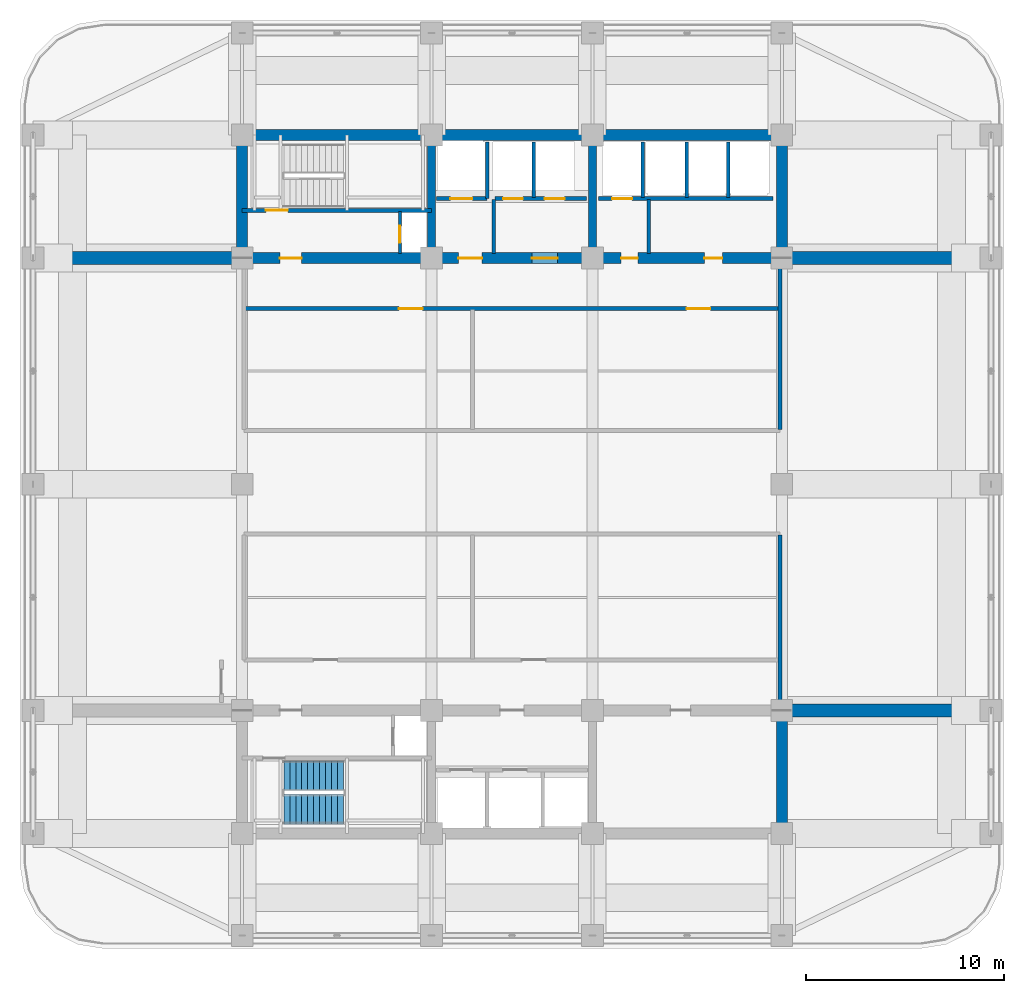
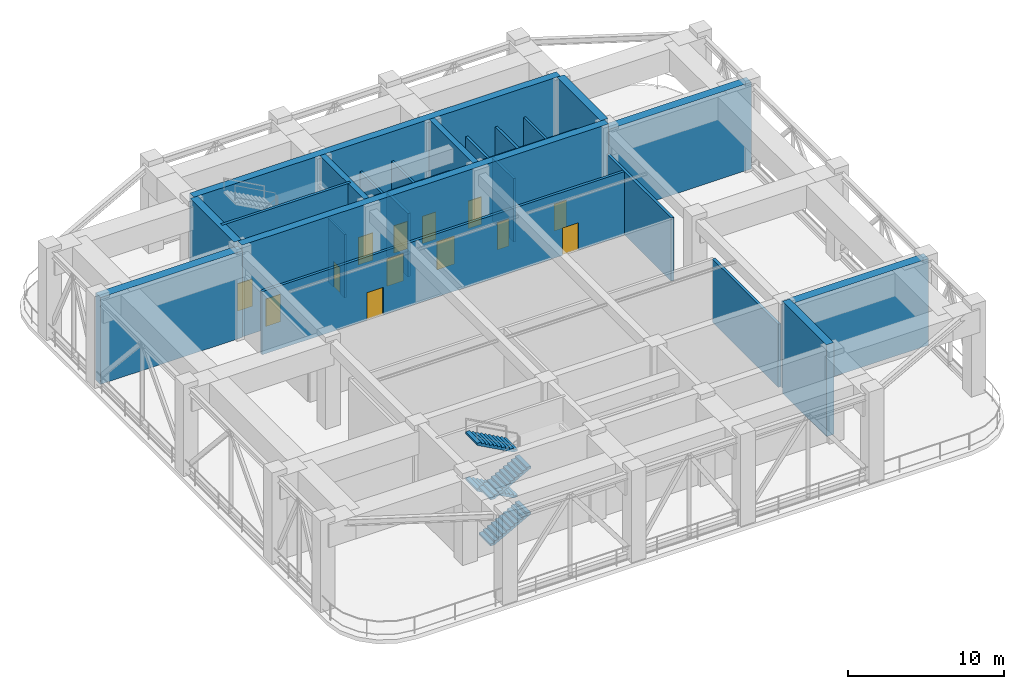
# One storey, part 11 of 20: 25 walls, 13 doors, 4 stair flights, 13 openings, 1 element without a shape of its own.
"""IFC4 building model written with IfcOpenShell, lengths in metres."""

from ifc_helpers import new_model, si_unit, direction, frame, frame_2d, origin, place, context, subcontext, project, spatial, polyline, rectangle, outline, extrude, material, layer, layer_set, type_object, element, fill, aggregate, save


model = new_model("IFC4")

# Units and contexts
model_context = context("Model", 3, precision=1e-05, world=origin(), true_north=direction((0.0, 1.0)))
body_context = subcontext(model_context, "Body", "Model", "MODEL_VIEW")
ifc_project = project(units=[si_unit("LENGTHUNIT", "METRE"), si_unit("AREAUNIT", "SQUARE_METRE"), si_unit("VOLUMEUNIT", "CUBIC_METRE"), si_unit("PLANEANGLEUNIT", "RADIAN"), si_unit("MASSUNIT", "GRAM", prefix="KILO")], contexts=[model_context])

# Site, building, storey
site_placement = place(None, origin())
site = spatial("IfcSite", under=ifc_project, at=site_placement, CompositionType="ELEMENT")
building_placement = place(site_placement, origin())
building = spatial("IfcBuilding", under=site, at=building_placement, Name="Svetorya Sky Lyceum", CompositionType="ELEMENT")
storey_placement = place(building_placement, frame((0.0, 0.0, 136.39990234375)))
storey = spatial("IfcBuildingStorey", under=building, at=storey_placement, Name="L34", CompositionType="ELEMENT", Elevation=136.39990234375)

# Walls
ifc_material_1 = material(Name="Concrete C40/50", Category="concrete")
ifc_layer_1 = layer(ifc_material_1, 0.39990234375)
ifc_layer_set_1 = layer_set([ifc_layer_1], Name="Concrete C40/50")
wall_type_1 = type_object("IfcWallType", Name="WL-CORE-400", PredefinedType="SHEAR", material=ifc_layer_set_1)
for number, where, z_axis, x_axis, name in (
    (1, (35.14990234375, 39.875, 0.0), (0.0, 0.0, 1.0), (0.0, 1.0, 0.0), "L34 NC Internal Shear Web WEB1"),
    (2, (43.25, 39.875, 0.0), (0.0, 0.0, 1.0), (0.0, 1.0, 0.0), "L34 NC Internal Shear Web WEB2"),
):
    element("IfcWall", number, at=place(storey_placement, frame(where, z_axis=z_axis, x_axis=x_axis)), inside=storey, type_object=wall_type_1, Name=name, PredefinedType="SHEAR", context=body_context, shape_type="SweptSolid", body=[
        extrude(rectangle(XDim=5.64990234375, YDim=0.39990234375, at=frame_2d((2.824951171875, 0.0))), origin(), (0.0, 0.0, 1.0), 7.2001953125),
    ])
ifc_material_2 = material(Name="Concrete C60/75", Category="concrete")
ifc_layer_2 = layer(ifc_material_2, 0.550048828125)
ifc_layer_set_2 = layer_set([ifc_layer_2], Name="Concrete C60/75")
wall_type_2 = type_object("IfcWallType", Name="WL-CORE-550", PredefinedType="SHEAR", material=ifc_layer_set_2)
wall_1_placement = place(storey_placement, frame((52.800048828125, 10.875, 0.0), z_axis=(0.0, 0.0, 1.0), x_axis=(0.0, 1.0, 0.0)))
element("IfcWall", 3, at=wall_1_placement, inside=storey, type_object=wall_type_2, Name="L34 SC East Core Shear Wall", PredefinedType="SHEAR", context=body_context, shape_type="SweptSolid", body=[
    extrude(rectangle(XDim=5.64990234375, YDim=0.550048828125, at=frame_2d((2.824951171875, 0.0))), origin(), (0.0, 0.0, 1.0), 7.2001953125),
])
wall_2_placement = place(storey_placement, frame((25.60009765625, 45.800048828125, 0.0), z_axis=(0.0, 0.0, 1.0), x_axis=(1.0, 0.0, 0.0)))
element("IfcWall", 4, at=wall_2_placement, inside=storey, type_object=wall_type_2, Name="L34 NC Outer Core Shear Wall", PredefinedType="SHEAR", context=body_context, shape_type="SweptSolid", body=[
    extrude(rectangle(XDim=27.199951171875, YDim=0.550048828125, at=frame_2d((13.60009765625, 0.0))), origin(), (0.0, 0.0, 1.0), 7.2001953125),
])
for number, where, z_axis, x_axis, name in (
    (5, (25.60009765625, 39.875, 0.0), (0.0, 0.0, 1.0), (0.0, 1.0, 0.0), "L34 NC West Core Shear Wall"),
    (6, (52.800048828125, 39.875, 0.0), (0.0, 0.0, 1.0), (0.0, 1.0, 0.0), "L34 NC East Core Shear Wall"),
):
    element("IfcWall", number, at=place(storey_placement, frame(where, z_axis=z_axis, x_axis=x_axis)), inside=storey, type_object=wall_type_2, Name=name, PredefinedType="SHEAR", context=body_context, shape_type="SweptSolid", body=[
        extrude(rectangle(XDim=5.64990234375, YDim=0.550048828125, at=frame_2d((2.824951171875, 0.0))), origin(), (0.0, 0.0, 1.0), 7.2001953125),
    ])

# Wall, openings, doors
wall_3_placement = place(storey_placement, frame((52.800048828125, 39.60009765625, 0.0), z_axis=(0.0, 0.0, 1.0), x_axis=(-1.0, 0.0, 0.0)))
wall_3 = element("IfcWall", 7, at=wall_3_placement, inside=storey, type_object=wall_type_2, Name="L34 NC Inner Core Shear Wall", PredefinedType="SHEAR", context=body_context, shape_type="SweptSolid", body=[
    extrude(rectangle(XDim=27.199951171875, YDim=0.550048828125, at=frame_2d((13.60009765625, 0.0))), origin(), (0.0, 0.0, 1.0), 7.2001953125),
])
opening_1_placement = place(wall_3_placement, frame((24.199951171875, 0.0, 0.0)))
opening_1 = element("IfcOpeningElement", 8, at=opening_1_placement, cuts=wall_3, Name="Opening D-ST1", PredefinedType="OPENING", context=body_context, shape_type="SweptSolid", body=[
    extrude(rectangle(XDim=1.10009765625, YDim=2.14990234375, at=frame_2d((0.550048828125, 1.074951171875))), frame((0.0, 0.284912109375, 0.0), z_axis=(0.0, -1.0, 0.0), x_axis=(1.0, 0.0, 0.0)), (0.0, 0.0, 1.0), 0.570068359375),
])
opening_2_placement = place(wall_3_placement, frame((15.10009765625, 0.0, 0.0)))
opening_2 = element("IfcOpeningElement", 9, at=opening_2_placement, cuts=wall_3, Name="Opening D-FL1", PredefinedType="OPENING", context=body_context, shape_type="SweptSolid", body=[
    extrude(rectangle(XDim=1.199951171875, YDim=2.14990234375, at=frame_2d((0.60009765625, 1.074951171875))), frame((0.0, 0.284912109375, 0.0), z_axis=(0.0, -1.0, 0.0), x_axis=(1.0, 0.0, 0.0)), (0.0, 0.0, 1.0), 0.570068359375),
])
opening_3_placement = place(wall_3_placement, frame((11.300048828125, 0.0, 0.0)))
opening_3 = element("IfcOpeningElement", 10, at=opening_3_placement, cuts=wall_3, Name="Opening D-LB1", PredefinedType="OPENING", context=body_context, shape_type="SweptSolid", body=[
    extrude(rectangle(XDim=1.300048828125, YDim=2.199951171875, at=frame_2d((0.64990234375, 1.10009765625))), frame((0.0, 0.284912109375, 0.0), z_axis=(0.0, -1.0, 0.0), x_axis=(1.0, 0.0, 0.0)), (0.0, 0.0, 1.0), 0.570068359375),
])
opening_4_placement = place(wall_3_placement, frame((7.25, 0.0, 0.0)))
opening_4 = element("IfcOpeningElement", 11, at=opening_4_placement, cuts=wall_3, Name="Opening D-CWC1", PredefinedType="OPENING", context=body_context, shape_type="SweptSolid", body=[
    extrude(rectangle(XDim=0.85009765625, YDim=2.10009765625, at=frame_2d((0.425048828125, 1.050048828125))), frame((0.0, 0.284912109375, 0.0), z_axis=(0.0, -1.0, 0.0), x_axis=(1.0, 0.0, 0.0)), (0.0, 0.0, 1.0), 0.570068359375),
])
opening_5_placement = place(wall_3_placement, frame((3.0, 0.0, 0.0)))
opening_5 = element("IfcOpeningElement", 12, at=opening_5_placement, cuts=wall_3, Name="Opening D-RM1", PredefinedType="OPENING", context=body_context, shape_type="SweptSolid", body=[
    extrude(rectangle(XDim=0.89990234375, YDim=2.10009765625, at=frame_2d((0.449951171875, 1.050048828125))), frame((0.0, 0.284912109375, 0.0), z_axis=(0.0, -1.0, 0.0), x_axis=(1.0, 0.0, 0.0)), (0.0, 0.0, 1.0), 0.570068359375),
])
ifc_material_3 = material(Name="Fire-rated galvanized steel core service closet door", Category="steel")
door_type_1 = type_object("IfcDoorType", Name="DR-CWET-850", OperationType="SINGLE_SWING_LEFT", PredefinedType="DOOR", material=ifc_material_3)
door_1_placement = place(opening_4_placement, origin())
door_1 = element("IfcDoor", 13, at=door_1_placement, inside=storey, type_object=door_type_1, Name="L34 Mid-Rise Lift PM3 Lobby Door", OperationType="SINGLE_SWING_LEFT", OverallHeight=2.10009765625, OverallWidth=0.85009765625, PredefinedType="DOOR", context=body_context, shape_type="SweptSolid", body=[
    extrude(rectangle(XDim=0.85009765625, YDim=2.10009765625, at=frame_2d((0.425048828125, 1.050048828125))), frame((0.0, 0.02490234375, 0.0), z_axis=(0.0, -1.0, 0.0), x_axis=(1.0, 0.0, 0.0)), (0.0, 0.0, 1.0), 0.050048828125),
])
fill(opening_4, door_1)
ifc_material_4 = material(Name="Powder-coated insulated galvanized stair fire door")
door_type_2 = type_object("IfcDoorType", Name="DR-FIRE-1100", OperationType="SINGLE_SWING_LEFT", PredefinedType="DOOR", material=ifc_material_4)
door_2_placement = place(opening_1_placement, origin())
door_2 = element("IfcDoor", 14, at=door_2_placement, inside=storey, type_object=door_type_2, Name="L34 North Stair Airlock Door", OperationType="SINGLE_SWING_LEFT", OverallHeight=2.14990234375, OverallWidth=1.10009765625, PredefinedType="DOOR", context=body_context, shape_type="SweptSolid", body=[
    extrude(rectangle(XDim=1.10009765625, YDim=2.14990234375, at=frame_2d((0.550048828125, 1.074951171875))), frame((0.0, 0.02490234375, 0.0), z_axis=(0.0, -1.0, 0.0), x_axis=(1.0, 0.0, 0.0)), (0.0, 0.0, 1.0), 0.050048828125),
])
fill(opening_1, door_2)
ifc_material_5 = material(Name="Powder-coated insulated galvanized fire door")
door_type_3 = type_object("IfcDoorType", Name="DR-FIRE-1200", OperationType="SINGLE_SWING_LEFT", PredefinedType="DOOR", material=ifc_material_5)
door_3_placement = place(opening_2_placement, origin())
door_3 = element("IfcDoor", 15, at=door_3_placement, inside=storey, type_object=door_type_3, Name="L34 North Firefighting Lift Lobby Door", OperationType="SINGLE_SWING_RIGHT", OverallHeight=2.14990234375, OverallWidth=1.199951171875, PredefinedType="DOOR", context=body_context, shape_type="SweptSolid", body=[
    extrude(rectangle(XDim=1.199951171875, YDim=2.14990234375, at=frame_2d((0.60009765625, 1.074951171875))), frame((0.0, 0.02490234375, 0.0), z_axis=(0.0, -1.0, 0.0), x_axis=(1.0, 0.0, 0.0)), (0.0, 0.0, 1.0), 0.050048828125),
])
fill(opening_2, door_3)
ifc_material_6 = material(Name="Lacquered birch veneer internal door")
door_type_4 = type_object("IfcDoorType", Name="DR-INT-900", OperationType="SINGLE_SWING_LEFT", PredefinedType="DOOR", material=ifc_material_6)
door_4_placement = place(opening_5_placement, origin())
door_4 = element("IfcDoor", 16, at=door_4_placement, inside=storey, type_object=door_type_4, Name="L34 Mid-Rise Store Door", OperationType="SINGLE_SWING_RIGHT", OverallHeight=2.10009765625, OverallWidth=0.89990234375, PredefinedType="DOOR", context=body_context, shape_type="SweptSolid", body=[
    extrude(rectangle(XDim=0.89990234375, YDim=2.10009765625, at=frame_2d((0.449951171875, 1.050048828125))), frame((0.0, 0.02490234375, 0.0), z_axis=(0.0, -1.0, 0.0), x_axis=(1.0, 0.0, 0.0)), (0.0, 0.0, 1.0), 0.050048828125),
])
fill(opening_5, door_4)
ifc_material_7 = material(Name="Glazed fire-rated aluminium lobby door", Category="aluminium")
door_type_5 = type_object("IfcDoorType", Name="DR-LOB-1300", OperationType="SINGLE_SWING_LEFT", PredefinedType="DOOR", material=ifc_material_7)
door_5_placement = place(opening_3_placement, origin())
door_5 = element("IfcDoor", 17, at=door_5_placement, inside=storey, type_object=door_type_5, Name="L34 Mid-Rise Lift Lobby West Door", OperationType="SINGLE_SWING_LEFT", OverallHeight=2.199951171875, OverallWidth=1.300048828125, PredefinedType="DOOR", context=body_context, shape_type="SweptSolid", body=[
    extrude(rectangle(XDim=1.300048828125, YDim=2.199951171875, at=frame_2d((0.64990234375, 1.10009765625))), frame((0.0, 0.02490234375, 0.0), z_axis=(0.0, -1.0, 0.0), x_axis=(1.0, 0.0, 0.0)), (0.0, 0.0, 1.0), 0.050048828125),
])
fill(opening_3, door_5)

# Walls
ifc_layer_3 = layer(ifc_material_2, 0.64990234375)
ifc_layer_set_3 = layer_set([ifc_layer_3], Name="Concrete C60/75")
wall_type_3 = type_object("IfcWallType", Name="WL-OUTRIGGER-650", PredefinedType="SHEAR", material=ifc_layer_set_3)
for number, where, z_axis, x_axis, name in (
    (18, (52.800048828125, 16.800048828125, 0.0), (0.0, 0.0, 1.0), (1.0, 0.0, 0.0), "L34 Concrete Outrigger Wall SE"),
    (19, (15.050048828125, 39.60009765625, 0.0), (0.0, 0.0, 1.0), (1.0, 0.0, 0.0), "L34 Concrete Outrigger Wall NW"),
    (20, (52.800048828125, 39.60009765625, 0.0), (0.0, 0.0, 1.0), (1.0, 0.0, 0.0), "L34 Concrete Outrigger Wall NE"),
):
    element("IfcWall", number, at=place(storey_placement, frame(where, z_axis=z_axis, x_axis=x_axis)), inside=storey, type_object=wall_type_3, Name=name, PredefinedType="SHEAR", context=body_context, shape_type="SweptSolid", body=[
        extrude(rectangle(XDim=10.550048828125, YDim=0.64990234375, at=frame_2d((5.27490234375, 0.0))), origin(), (0.0, 0.0, 1.0), 6.800048828125),
    ])

# Wall, opening, door
ifc_material_8 = material(Name="Autoclaved cellular masonry blockwork with acoustic render", Category="masonry")
ifc_layer_4 = layer(ifc_material_8, 0.14990234375)
ifc_layer_set_4 = layer_set([ifc_layer_4], Name="Autoclaved cellular masonry blockwork with acoustic render")
wall_type_4 = type_object("IfcWallType", Name="WL-PART-150", PredefinedType="PARTITIONING", material=ifc_layer_set_4)
wall_4_placement = place(storey_placement, frame((33.550048828125, 39.820068359375, 0.0), z_axis=(0.0, 0.0, 1.0), x_axis=(0.0, 1.0, 0.0)))
wall_4 = element("IfcWall", 21, at=wall_4_placement, inside=storey, type_object=wall_type_4, Name="L34 Interior Partition NC-RSRW", PredefinedType="PARTITIONING", context=body_context, shape_type="SweptSolid", body=[
    extrude(rectangle(XDim=2.1298828125, YDim=0.14990234375, at=frame_2d((1.06494140625, 0.0))), origin(), (0.0, 0.0, 1.0), 4.960205078125),
])
opening_6_placement = place(wall_4_placement, frame((0.550048828125, 0.0, 0.0)))
opening_6 = element("IfcOpeningElement", 22, at=opening_6_placement, cuts=wall_4, Name="Opening D-SH1", PredefinedType="OPENING", context=body_context, shape_type="SweptSolid", body=[
    extrude(rectangle(XDim=0.85009765625, YDim=2.050048828125, at=frame_2d((0.425048828125, 1.02490234375))), frame((0.0, 0.0849609375, 0.0), z_axis=(0.0, -1.0, 0.0), x_axis=(1.0, 0.0, 0.0)), (0.0, 0.0, 1.0), 0.169921875),
])
ifc_material_9 = material(Name="Insulated galvanized riser inspection fire door")
door_type_6 = type_object("IfcDoorType", Name="DR-SHFT-850", OperationType="SINGLE_SWING_LEFT", PredefinedType="TRAPDOOR", material=ifc_material_9)
door_6_placement = place(opening_6_placement, origin())
door_6 = element("IfcDoor", 23, at=door_6_placement, inside=storey, type_object=door_type_6, Name="L34 North Riser Access Door", OperationType="SINGLE_SWING_LEFT", OverallHeight=2.050048828125, OverallWidth=0.85009765625, PredefinedType="TRAPDOOR", context=body_context, shape_type="SweptSolid", body=[
    extrude(rectangle(XDim=0.85009765625, YDim=2.050048828125, at=frame_2d((0.425048828125, 1.02490234375))), frame((0.0, 0.02490234375, 0.0), z_axis=(0.0, -1.0, 0.0), x_axis=(1.0, 0.0, 0.0)), (0.0, 0.0, 1.0), 0.050048828125),
])
fill(opening_6, door_6)

# Walls
ifc_material_10 = material(Name="Autoclaved cellular masonry blockwork with fire render", Category="masonry")
ifc_layer_5 = layer(ifc_material_10, 0.175048828125)
ifc_layer_set_5 = layer_set([ifc_layer_5], Name="Autoclaved cellular masonry blockwork with fire render")
wall_type_5 = type_object("IfcWallType", Name="WL-PART-175", PredefinedType="PARTITIONING", material=ifc_layer_set_5)
wall_5_placement = place(storey_placement, frame((37.949951171875, 42.60009765625, 0.0), z_axis=(0.0, 0.0, 1.0), x_axis=(0.0, 1.0, 0.0)))
element("IfcWall", 24, at=wall_5_placement, inside=storey, type_object=wall_type_5, Name="L34 Interior Partition NC-FL1SIDE", PredefinedType="PARTITIONING", context=body_context, shape_type="SweptSolid", body=[
    extrude(rectangle(XDim=2.849853515625, YDim=0.175048828125, at=frame_2d((1.4248046875, 0.0))), origin(), (0.0, 0.0, 1.0), 4.960205078125),
])
for number, where, z_axis, x_axis, name in (
    (25, (40.300048828125, 42.64990234375, 0.0), (0.0, 0.0, 1.0), (0.0, 1.0, 0.0), "L34 Interior Partition NC-PM-D1"),
    (26, (45.800048828125, 42.64990234375, 0.0), (0.0, 0.0, 1.0), (0.0, 1.0, 0.0), "L34 Interior Partition NC-PM3-D"),
    (27, (48.0, 42.64990234375, 0.0), (0.0, 0.0, 1.0), (0.0, 1.0, 0.0), "L34 Interior Partition NC-PH-D1"),
    (28, (50.10009765625, 42.64990234375, 0.0), (0.0, 0.0, 1.0), (0.0, 1.0, 0.0), "L34 Interior Partition NC-PH-D2"),
):
    element("IfcWall", number, at=place(storey_placement, frame(where, z_axis=z_axis, x_axis=x_axis)), inside=storey, type_object=wall_type_5, Name=name, PredefinedType="PARTITIONING", context=body_context, shape_type="SweptSolid", body=[
        extrude(rectangle(XDim=2.800048828125, YDim=0.175048828125, at=frame_2d((1.39990234375, 0.0))), origin(), (0.0, 0.0, 1.0), 4.960205078125),
    ])
wall_6_placement = place(storey_placement, frame((46.10009765625, 39.820068359375, 0.0), z_axis=(0.0, 0.0, 1.0), x_axis=(0.0, 1.0, 0.0)))
element("IfcWall", 29, at=wall_6_placement, inside=storey, type_object=wall_type_5, Name="L34 Interior Partition NC-PM3SEP", PredefinedType="PARTITIONING", context=body_context, shape_type="SweptSolid", body=[
    extrude(rectangle(XDim=2.72998046875, YDim=0.175048828125, at=frame_2d((1.364990234375, 0.0))), origin(), (0.0, 0.0, 1.0), 4.960205078125),
])

# Wall, opening, door
ifc_material_11 = material(Name="Autoclaved cellular masonry blockwork with gypsum plaster", Category="masonry")
ifc_layer_6 = layer(ifc_material_11, 0.199951171875)
ifc_layer_set_6 = layer_set([ifc_layer_6], Name="Autoclaved cellular masonry blockwork with gypsum plaster")
wall_type_6 = type_object("IfcWallType", Name="WL-PART-200", PredefinedType="PARTITIONING", material=ifc_layer_set_6)
wall_7_placement = place(storey_placement, frame((37.949951171875, 42.60009765625, 0.0), z_axis=(0.0, 0.0, 1.0), x_axis=(-1.0, 0.0, 0.0)))
wall_7 = element("IfcWall", 30, at=wall_7_placement, inside=storey, type_object=wall_type_6, Name="L34 Interior Partition NC-FL1W", PredefinedType="PARTITIONING", context=body_context, shape_type="SweptSolid", body=[
    extrude(rectangle(XDim=2.550048828125, YDim=0.199951171875, at=frame_2d((1.27490234375, 0.0))), origin(), (0.0, 0.0, 1.0), 4.960205078125),
])
opening_7_placement = place(wall_7_placement, frame((0.75, 0.0, 0.0)))
opening_7 = element("IfcOpeningElement", 31, at=opening_7_placement, cuts=wall_7, Name="Opening LD-FL", PredefinedType="OPENING", context=body_context, shape_type="SweptSolid", body=[
    extrude(rectangle(XDim=1.10009765625, YDim=2.14990234375, at=frame_2d((0.550048828125, 1.074951171875))), frame((0.0, 0.10986328125, 0.0), z_axis=(0.0, -1.0, 0.0), x_axis=(1.0, 0.0, 0.0)), (0.0, 0.0, 1.0), 0.219970703125),
])
ifc_material_12 = material(Name="Fire-rated stainless AISI 304 firefighting lift landing door")
door_type_7 = type_object("IfcDoorType", Name="DR-LIFT-1100", OperationType="SLIDING_TO_LEFT", PredefinedType="DOOR", material=ifc_material_12)
door_7_placement = place(opening_7_placement, origin())
door_7 = element("IfcDoor", 32, at=door_7_placement, inside=storey, type_object=door_type_7, Name="L34 Firefighting Lift FL1 Landing Door", OperationType="SLIDING_TO_LEFT", OverallHeight=2.14990234375, OverallWidth=1.10009765625, PredefinedType="DOOR", context=body_context, shape_type="SweptSolid", body=[
    extrude(rectangle(XDim=1.10009765625, YDim=2.14990234375, at=frame_2d((0.550048828125, 1.074951171875))), frame((0.0, 0.02490234375, 0.0), z_axis=(0.0, -1.0, 0.0), x_axis=(1.0, 0.0, 0.0)), (0.0, 0.0, 1.0), 0.050048828125),
])
fill(opening_7, door_7)

# Wall
wall_8_placement = place(storey_placement, frame((38.280029296875, 39.820068359375, 0.0), z_axis=(0.0, 0.0, 1.0), x_axis=(0.0, 1.0, 0.0)))
element("IfcWall", 33, at=wall_8_placement, inside=storey, type_object=wall_type_6, Name="L34 Interior Partition NC-FFLDIV", PredefinedType="PARTITIONING", context=body_context, shape_type="SweptSolid", body=[
    extrude(rectangle(XDim=2.72998046875, YDim=0.199951171875, at=frame_2d((1.364990234375, 0.0))), origin(), (0.0, 0.0, 1.0), 4.960205078125),
])

# Wall, openings, doors
wall_9_placement = place(storey_placement, frame((42.949951171875, 42.60009765625, 0.0), z_axis=(0.0, 0.0, 1.0), x_axis=(-1.0, 0.0, 0.0)))
wall_9 = element("IfcWall", 34, at=wall_9_placement, inside=storey, type_object=wall_type_6, Name="L34 Interior Partition NC-PM12W", PredefinedType="PARTITIONING", context=body_context, shape_type="SweptSolid", body=[
    extrude(rectangle(XDim=4.599853515625, YDim=0.199951171875, at=frame_2d((2.2998046875, 0.0))), origin(), (0.0, 0.0, 1.0), 4.960205078125),
])
opening_8_placement = place(wall_9_placement, frame((3.199951171875, 0.0, 0.0)))
opening_8 = element("IfcOpeningElement", 35, at=opening_8_placement, cuts=wall_9, Name="Opening LD-P1", PredefinedType="OPENING", context=body_context, shape_type="SweptSolid", body=[
    extrude(rectangle(XDim=1.0, YDim=2.14990234375, at=frame_2d((0.5, 1.074951171875))), frame((0.0, 0.10986328125, 0.0), z_axis=(0.0, -1.0, 0.0), x_axis=(1.0, 0.0, 0.0)), (0.0, 0.0, 1.0), 0.219970703125),
])
opening_9_placement = place(wall_9_placement, frame((1.10009765625, 0.0, 0.0)))
opening_9 = element("IfcOpeningElement", 36, at=opening_9_placement, cuts=wall_9, Name="Opening LD-P1", PredefinedType="OPENING", context=body_context, shape_type="SweptSolid", body=[
    extrude(rectangle(XDim=1.0, YDim=2.14990234375, at=frame_2d((0.5, 1.074951171875))), frame((0.0, 0.10986328125, 0.0), z_axis=(0.0, -1.0, 0.0), x_axis=(1.0, 0.0, 0.0)), (0.0, 0.0, 1.0), 0.219970703125),
])
ifc_material_13 = material(Name="Champagne-anodized stainless passenger lift landing door")
door_type_8 = type_object("IfcDoorType", Name="DR-LIFT-1000", OperationType="SLIDING_TO_LEFT", PredefinedType="DOOR", material=ifc_material_13)
door_8_placement = place(opening_8_placement, origin())
door_8 = element("IfcDoor", 37, at=door_8_placement, inside=storey, type_object=door_type_8, Name="L34 Passenger Lift PM1 Landing Door", OperationType="SLIDING_TO_LEFT", OverallHeight=2.14990234375, OverallWidth=1.0, PredefinedType="DOOR", context=body_context, shape_type="SweptSolid", body=[
    extrude(rectangle(XDim=1.0, YDim=2.14990234375, at=frame_2d((0.5, 1.074951171875))), frame((0.0, 0.02490234375, 0.0), z_axis=(0.0, -1.0, 0.0), x_axis=(1.0, 0.0, 0.0)), (0.0, 0.0, 1.0), 0.050048828125),
])
fill(opening_8, door_8)
door_9_placement = place(opening_9_placement, origin())
door_9 = element("IfcDoor", 38, at=door_9_placement, inside=storey, type_object=door_type_8, Name="L34 Passenger Lift PM2 Landing Door", OperationType="SLIDING_TO_LEFT", OverallHeight=2.14990234375, OverallWidth=1.0, PredefinedType="DOOR", context=body_context, shape_type="SweptSolid", body=[
    extrude(rectangle(XDim=1.0, YDim=2.14990234375, at=frame_2d((0.5, 1.074951171875))), frame((0.0, 0.02490234375, 0.0), z_axis=(0.0, -1.0, 0.0), x_axis=(1.0, 0.0, 0.0)), (0.0, 0.0, 1.0), 0.050048828125),
])
fill(opening_9, door_9)

# Wall, opening, door
wall_10_placement = place(storey_placement, frame((52.35009765625, 42.60009765625, 0.0), z_axis=(0.0, 0.0, 1.0), x_axis=(-1.0, 0.0, 0.0)))
wall_10 = element("IfcWall", 39, at=wall_10_placement, inside=storey, type_object=wall_type_6, Name="L34 Interior Partition NC-PHEW", PredefinedType="PARTITIONING", context=body_context, shape_type="SweptSolid", body=[
    extrude(rectangle(XDim=8.800048828125, YDim=0.199951171875, at=frame_2d((4.39990234375, 0.0))), origin(), (0.0, 0.0, 1.0), 4.960205078125),
])
opening_10_placement = place(wall_10_placement, frame((7.10009765625, 0.0, 0.0)))
opening_10 = element("IfcOpeningElement", 40, at=opening_10_placement, cuts=wall_10, Name="Opening LD-P1", PredefinedType="OPENING", context=body_context, shape_type="SweptSolid", body=[
    extrude(rectangle(XDim=1.0, YDim=2.14990234375, at=frame_2d((0.5, 1.074951171875))), frame((0.0, 0.10986328125, 0.0), z_axis=(0.0, -1.0, 0.0), x_axis=(1.0, 0.0, 0.0)), (0.0, 0.0, 1.0), 0.219970703125),
])
door_10_placement = place(opening_10_placement, origin())
door_10 = element("IfcDoor", 41, at=door_10_placement, inside=storey, type_object=door_type_8, Name="L34 Passenger Lift PM3 Landing Door", OperationType="SLIDING_TO_LEFT", OverallHeight=2.14990234375, OverallWidth=1.0, PredefinedType="DOOR", context=body_context, shape_type="SweptSolid", body=[
    extrude(rectangle(XDim=1.0, YDim=2.14990234375, at=frame_2d((0.5, 1.074951171875))), frame((0.0, 0.02490234375, 0.0), z_axis=(0.0, -1.0, 0.0), x_axis=(1.0, 0.0, 0.0)), (0.0, 0.0, 1.0), 0.050048828125),
])
fill(opening_10, door_10)

# Wall
wall_11_placement = place(storey_placement, frame((52.699951171875, 17.199951171875, 0.0), z_axis=(0.0, 0.0, 1.0), x_axis=(0.0, 1.0, 0.0)))
element("IfcWall", 42, at=wall_11_placement, inside=storey, type_object=wall_type_6, Name="L34 Interior Partition REF-E-END", PredefinedType="PARTITIONING", context=body_context, shape_type="SweptSolid", body=[
    extrude(rectangle(XDim=8.449951171875, YDim=0.199951171875, at=frame_2d((4.22509765625, 0.0))), origin(), (0.0, 0.0, 1.0), 4.960205078125),
])

# Wall, openings, doors
wall_12_placement = place(storey_placement, frame((52.699951171875, 37.050048828125, 0.0), z_axis=(0.0, 0.0, 1.0), x_axis=(-1.0, 0.0, 0.0)))
wall_12 = element("IfcWall", 43, at=wall_12_placement, inside=storey, type_object=wall_type_6, Name="L34 Interior Partition PLT-N-IN", PredefinedType="PARTITIONING", context=body_context, shape_type="SweptSolid", body=[
    extrude(rectangle(XDim=27.0, YDim=0.199951171875, at=frame_2d((13.5, 0.0))), origin(), (0.0, 0.0, 1.0), 4.960205078125),
])
opening_11_placement = place(wall_12_placement, frame((3.5, 0.0, 0.0)))
opening_11 = element("IfcOpeningElement", 44, at=opening_11_placement, cuts=wall_12, Name="Opening D-FL1", PredefinedType="OPENING", context=body_context, shape_type="SweptSolid", body=[
    extrude(rectangle(XDim=1.199951171875, YDim=2.14990234375, at=frame_2d((0.60009765625, 1.074951171875))), frame((0.0, 0.10986328125, 0.0), z_axis=(0.0, -1.0, 0.0), x_axis=(1.0, 0.0, 0.0)), (0.0, 0.0, 1.0), 0.219970703125),
])
opening_12_placement = place(wall_12_placement, frame((18.0, 0.0, 0.0)))
opening_12 = element("IfcOpeningElement", 45, at=opening_12_placement, cuts=wall_12, Name="Opening D-FL1", PredefinedType="OPENING", context=body_context, shape_type="SweptSolid", body=[
    extrude(rectangle(XDim=1.199951171875, YDim=2.14990234375, at=frame_2d((0.60009765625, 1.074951171875))), frame((0.0, 0.10986328125, 0.0), z_axis=(0.0, -1.0, 0.0), x_axis=(1.0, 0.0, 0.0)), (0.0, 0.0, 1.0), 0.219970703125),
])
door_11_placement = place(opening_11_placement, origin())
door_11 = element("IfcDoor", 46, at=door_11_placement, inside=storey, type_object=door_type_3, Name="L34 Smoke Plant Door", OperationType="SINGLE_SWING_LEFT", OverallHeight=2.14990234375, OverallWidth=1.199951171875, PredefinedType="DOOR", context=body_context, shape_type="SweptSolid", body=[
    extrude(rectangle(XDim=1.199951171875, YDim=2.14990234375, at=frame_2d((0.60009765625, 1.074951171875))), frame((0.0, 0.02490234375, 0.0), z_axis=(0.0, -1.0, 0.0), x_axis=(1.0, 0.0, 0.0)), (0.0, 0.0, 1.0), 0.050048828125),
])
fill(opening_11, door_11)
door_12_placement = place(opening_12_placement, origin())
door_12 = element("IfcDoor", 47, at=door_12_placement, inside=storey, type_object=door_type_3, Name="L34 Heat Exchanger Door", OperationType="SINGLE_SWING_RIGHT", OverallHeight=2.14990234375, OverallWidth=1.199951171875, PredefinedType="DOOR", context=body_context, shape_type="SweptSolid", body=[
    extrude(rectangle(XDim=1.199951171875, YDim=2.14990234375, at=frame_2d((0.60009765625, 1.074951171875))), frame((0.0, 0.02490234375, 0.0), z_axis=(0.0, -1.0, 0.0), x_axis=(1.0, 0.0, 0.0)), (0.0, 0.0, 1.0), 0.050048828125),
])
fill(opening_12, door_12)

# Wall
wall_13_placement = place(storey_placement, frame((52.699951171875, 30.949951171875, 0.0), z_axis=(0.0, 0.0, 1.0), x_axis=(0.0, 1.0, 0.0)))
element("IfcWall", 48, at=wall_13_placement, inside=storey, type_object=wall_type_6, Name="L34 Interior Partition PLT-NE-END", PredefinedType="PARTITIONING", context=body_context, shape_type="SweptSolid", body=[
    extrude(rectangle(XDim=8.25, YDim=0.199951171875, at=frame_2d((4.125, 0.0))), origin(), (0.0, 0.0, 1.0), 4.960205078125),
])

# Wall, opening, door
ifc_material_14 = material(Name="Concrete C50/60", Category="concrete")
ifc_layer_7 = layer(ifc_material_14, 0.199951171875)
ifc_layer_set_7 = layer_set([ifc_layer_7], Name="Concrete C50/60")
wall_type_7 = type_object("IfcWallType", Name="WL-SHW-200", PredefinedType="SHEAR", material=ifc_layer_set_7)
wall_14_placement = place(storey_placement, frame((35.14990234375, 42.0, 0.0), z_axis=(0.0, 0.0, 1.0), x_axis=(-1.0, 0.0, 0.0)))
wall_14 = element("IfcWall", 49, at=wall_14_placement, inside=storey, type_object=wall_type_7, Name="L34 Structural Stair Shaft Wall NC-STW", PredefinedType="SHEAR", context=body_context, shape_type="SweptSolid", body=[
    extrude(rectangle(XDim=9.5498046875, YDim=0.199951171875, at=frame_2d((4.77490234375, 0.0))), origin(), (0.0, 0.0, 1.0), 7.2001953125),
])
opening_13_placement = place(wall_14_placement, frame((7.25, 0.0, 0.0)))
opening_13 = element("IfcOpeningElement", 50, at=opening_13_placement, cuts=wall_14, Name="Opening D-ST1", PredefinedType="OPENING", context=body_context, shape_type="SweptSolid", body=[
    extrude(rectangle(XDim=1.10009765625, YDim=2.14990234375, at=frame_2d((0.550048828125, 1.074951171875))), frame((0.0, 0.10986328125, 0.0), z_axis=(0.0, -1.0, 0.0), x_axis=(1.0, 0.0, 0.0)), (0.0, 0.0, 1.0), 0.219970703125),
])
door_13_placement = place(opening_13_placement, origin())
door_13 = element("IfcDoor", 51, at=door_13_placement, inside=storey, type_object=door_type_2, Name="L34 Stair ST-N Vestibule Fire Door", OperationType="SINGLE_SWING_RIGHT", OverallHeight=2.14990234375, OverallWidth=1.10009765625, PredefinedType="DOOR", context=body_context, shape_type="SweptSolid", body=[
    extrude(rectangle(XDim=1.10009765625, YDim=2.14990234375, at=frame_2d((0.550048828125, 1.074951171875))), frame((0.0, 0.02490234375, 0.0), z_axis=(0.0, -1.0, 0.0), x_axis=(1.0, 0.0, 0.0)), (0.0, 0.0, 1.0), 0.050048828125),
])
fill(opening_13, door_13)

# Stair, stair flights
stair_type = type_object("IfcStairType", Name="STR-ST-S", PredefinedType="HALF_TURN_STAIR", material=ifc_material_1)
stair_placement = place(storey_placement, origin())
stair = element("IfcStair", 52, at=stair_placement, inside=storey, type_object=stair_type, Name="L34 South Core Smoke-Free Exit Stair N2", PredefinedType="HALF_TURN_STAIR")
stair_flight_type = type_object("IfcStairFlightType", Name="SFL-ST-S", PredefinedType="STRAIGHT", material=ifc_material_1)
stair_flight_1_placement = place(storey_placement, frame((27.699951171875, 11.800048828125, 0.0), z_axis=(0.0, 0.0, 1.0), x_axis=(1.0, 0.0, 0.0)))
stair_flight_1 = element("IfcStairFlight", 53, at=stair_flight_1_placement, type_object=stair_flight_type, Name="ST-S flight 1", NumberOfRisers=11, NumberOfTreads=10, PredefinedType="STRAIGHT", RiserHeight=0.163636364, TreadLength=0.3, context=body_context, shape_type="SweptSolid", body=[
    extrude(outline(polyline([(0.0, 0.0), (0.0, 0.16357421875), (0.300048828125, 0.16357421875), (0.300048828125, 0.327392578125), (0.60009765625, 0.327392578125), (0.60009765625, 0.490966796875), (0.89990234375, 0.490966796875), (0.89990234375, 0.654541015625), (1.199951171875, 0.654541015625), (1.199951171875, 0.818115234375), (1.5, 0.818115234375), (1.5, 0.98193359375), (1.800048828125, 0.98193359375), (1.800048828125, 1.1455078125), (2.10009765625, 1.1455078125), (2.10009765625, 1.30908203125), (2.39990234375, 1.30908203125), (2.39990234375, 1.47265625), (2.699951171875, 1.47265625), (2.699951171875, 1.636474609375), (3.0, 1.636474609375), (3.0, 1.800048828125), (3.0, 1.465576171875), (0.31298828125, 0.0), (0.0, 0.0)])), frame((0.0, 0.75, 0.0), z_axis=(0.0, -1.0, 0.0), x_axis=(1.0, 0.0, 0.0)), (0.0, 0.0, 1.0), 1.5),
])
stair_flight_2_placement = place(storey_placement, frame((30.699951171875, 13.5, 1.800048828125), z_axis=(0.0, 0.0, 1.0), x_axis=(-1.0, 0.0, 0.0)))
stair_flight_2 = element("IfcStairFlight", 54, at=stair_flight_2_placement, type_object=stair_flight_type, Name="ST-S flight 2", NumberOfRisers=11, NumberOfTreads=10, PredefinedType="STRAIGHT", RiserHeight=0.163636364, TreadLength=0.3, context=body_context, shape_type="SweptSolid", body=[
    extrude(outline(polyline([(0.0, 0.0), (0.0, 0.16357421875), (0.300048828125, 0.16357421875), (0.300048828125, 0.327392578125), (0.60009765625, 0.327392578125), (0.60009765625, 0.490966796875), (0.89990234375, 0.490966796875), (0.89990234375, 0.654541015625), (1.199951171875, 0.654541015625), (1.199951171875, 0.818115234375), (1.5, 0.818115234375), (1.5, 0.98193359375), (1.800048828125, 0.98193359375), (1.800048828125, 1.1455078125), (2.10009765625, 1.1455078125), (2.10009765625, 1.30908203125), (2.39990234375, 1.30908203125), (2.39990234375, 1.47265625), (2.699951171875, 1.47265625), (2.699951171875, 1.636474609375), (3.0, 1.636474609375), (3.0, 1.800048828125), (3.0, 1.465576171875), (0.31298828125, 0.0), (0.0, 0.0)])), frame((0.0, 0.75, 0.0), z_axis=(0.0, -1.0, 0.0), x_axis=(1.0, 0.0, 0.0)), (0.0, 0.0, 1.0), 1.5),
])
stair_flight_3_placement = place(storey_placement, frame((27.699951171875, 11.800048828125, 3.60009765625), z_axis=(0.0, 0.0, 1.0), x_axis=(1.0, 0.0, 0.0)))
stair_flight_3 = element("IfcStairFlight", 55, at=stair_flight_3_placement, type_object=stair_flight_type, Name="ST-S flight 3", NumberOfRisers=11, NumberOfTreads=10, PredefinedType="STRAIGHT", RiserHeight=0.163636364, TreadLength=0.3, context=body_context, shape_type="SweptSolid", body=[
    extrude(outline(polyline([(0.0, 0.0), (0.0, 0.16357421875), (0.300048828125, 0.16357421875), (0.300048828125, 0.327392578125), (0.60009765625, 0.327392578125), (0.60009765625, 0.490966796875), (0.89990234375, 0.490966796875), (0.89990234375, 0.654541015625), (1.199951171875, 0.654541015625), (1.199951171875, 0.818115234375), (1.5, 0.818115234375), (1.5, 0.98193359375), (1.800048828125, 0.98193359375), (1.800048828125, 1.1455078125), (2.10009765625, 1.1455078125), (2.10009765625, 1.30908203125), (2.39990234375, 1.30908203125), (2.39990234375, 1.47265625), (2.699951171875, 1.47265625), (2.699951171875, 1.636474609375), (3.0, 1.636474609375), (3.0, 1.800048828125), (3.0, 1.465576171875), (0.31298828125, 0.0), (0.0, 0.0)])), frame((0.0, 0.75, 0.0), z_axis=(0.0, -1.0, 0.0), x_axis=(1.0, 0.0, 0.0)), (0.0, 0.0, 1.0), 1.5),
])
stair_flight_4_placement = place(storey_placement, frame((30.699951171875, 13.5, 5.400146484375), z_axis=(0.0, 0.0, 1.0), x_axis=(-1.0, 0.0, 0.0)))
stair_flight_4 = element("IfcStairFlight", 56, at=stair_flight_4_placement, type_object=stair_flight_type, Name="ST-S flight 4", NumberOfRisers=11, NumberOfTreads=10, PredefinedType="STRAIGHT", RiserHeight=0.163636364, TreadLength=0.3, context=body_context, shape_type="SweptSolid", body=[
    extrude(outline(polyline([(0.0, 0.0), (0.0, 0.16357421875), (0.300048828125, 0.16357421875), (0.300048828125, 0.327392578125), (0.60009765625, 0.327392578125), (0.60009765625, 0.490966796875), (0.89990234375, 0.490966796875), (0.89990234375, 0.654541015625), (1.199951171875, 0.654541015625), (1.199951171875, 0.818115234375), (1.5, 0.818115234375), (1.5, 0.98193359375), (1.800048828125, 0.98193359375), (1.800048828125, 1.1455078125), (2.10009765625, 1.1455078125), (2.10009765625, 1.30908203125), (2.39990234375, 1.30908203125), (2.39990234375, 1.47265625), (2.699951171875, 1.47265625), (2.699951171875, 1.636474609375), (3.0, 1.636474609375), (3.0, 1.800048828125), (3.0, 1.465576171875), (0.31298828125, 0.0), (0.0, 0.0)])), frame((0.0, 0.75, 0.0), z_axis=(0.0, -1.0, 0.0), x_axis=(1.0, 0.0, 0.0)), (0.0, 0.0, 1.0), 1.5),
])
aggregate(stair, [stair_flight_1, stair_flight_2, stair_flight_3, stair_flight_4])

save(model, "model.ifc")
